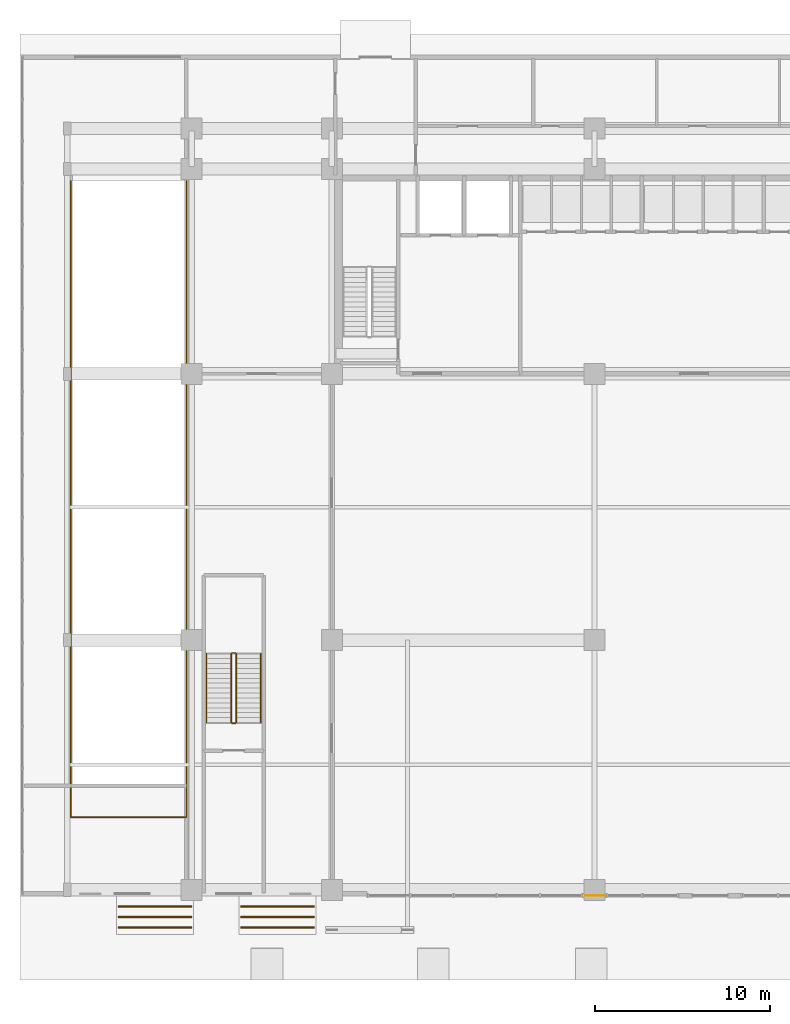
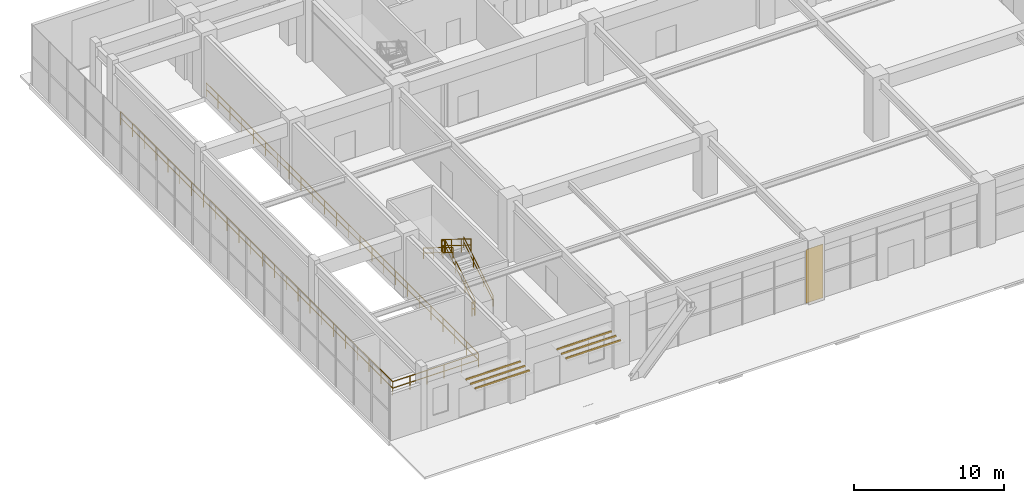
# One storey, part 37 of 40: 9 railings, 6 shading devices, 1 covering.
"""IFC4 building model written with IfcOpenShell, lengths in metres."""

from ifc_helpers import new_model, si_unit, direction, frame, origin, origin_2d, place, context, subcontext, project, spatial, rectangle, extrude, source, transform, mapped, material, layer, layer_set, type_object, element, save


model = new_model("IFC4")

# Units and contexts
model_context = context("Model", 3, precision=1e-05, world=origin(), true_north=direction((0.0, 1.0)))
body_context = subcontext(model_context, "Body", "Model", "MODEL_VIEW")
ifc_project = project(units=[si_unit("LENGTHUNIT", "METRE"), si_unit("AREAUNIT", "SQUARE_METRE"), si_unit("VOLUMEUNIT", "CUBIC_METRE"), si_unit("PLANEANGLEUNIT", "RADIAN"), si_unit("MASSUNIT", "GRAM", prefix="KILO")], contexts=[model_context])

# Site, building, storey
site_placement = place(None, origin())
site = spatial("IfcSite", under=ifc_project, at=site_placement, CompositionType="ELEMENT")
building_placement = place(site_placement, origin())
building = spatial("IfcBuilding", under=site, at=building_placement, Name="Trelvane Seafront Commons", CompositionType="ELEMENT")
storey_placement = place(building_placement, origin())
storey = spatial("IfcBuildingStorey", under=building, at=storey_placement, Name="L00", CompositionType="ELEMENT", Elevation=0.0)

# Railings
ifc_material_1 = material(Name="Stainless steel balustrade", Category="steel")
railing_type_1 = type_object("IfcRailingType", Name="ARCH-RAIL-BAL1150", PredefinedType="BALUSTRADE", material=ifc_material_1)
railing_1_placement = place(storey_placement, frame((0.699951171875, 44.39990234375, 0.0)))
element("IfcRailing", 1, at=railing_1_placement, inside=storey, type_object=railing_type_1, Name="RL-L00-RMP-01", PredefinedType="BALUSTRADE", context=body_context, shape_type="SweptSolid", body=[
    extrude(rectangle(XDim=0.048095703125, YDim=0.048095703125, at=origin_2d()), frame((0.0, 0.0, 1.1259765625), z_axis=(0.0, -1.0, 0.0), x_axis=(1.0, 0.0, 0.0)), (0.0, 0.0, 1.0), 36.2998046875),
    extrude(rectangle(XDim=0.048095703125, YDim=0.048095703125, at=origin_2d()), frame((0.0, 0.0, 0.597900390625), z_axis=(0.0, -1.0, 0.0), x_axis=(1.0, 0.0, 0.0)), (0.0, 0.0, 1.0), 36.2998046875),
    extrude(rectangle(XDim=0.0419921875, YDim=0.0419921875, at=origin_2d()), origin(), (0.0, 0.0, 1.0), 1.1259765625),
    extrude(rectangle(XDim=0.0419921875, YDim=0.0419921875, at=origin_2d()), frame((0.0, -1.578369140625, 0.0)), (0.0, 0.0, 1.0), 1.1259765625),
    extrude(rectangle(XDim=0.0419921875, YDim=0.0419921875, at=origin_2d()), frame((0.0, -3.156494140625, 0.0)), (0.0, 0.0, 1.0), 1.1259765625),
    extrude(rectangle(XDim=0.0419921875, YDim=0.0419921875, at=origin_2d()), frame((0.0, -4.73486328125, 0.0)), (0.0, 0.0, 1.0), 1.1259765625),
    extrude(rectangle(XDim=0.0419921875, YDim=0.0419921875, at=origin_2d()), frame((0.0, -6.31298828125, 0.0)), (0.0, 0.0, 1.0), 1.1259765625),
    extrude(rectangle(XDim=0.0419921875, YDim=0.0419921875, at=origin_2d()), frame((0.0, -7.891357421875, 0.0)), (0.0, 0.0, 1.0), 1.1259765625),
    extrude(rectangle(XDim=0.0419921875, YDim=0.0419921875, at=origin_2d()), frame((0.0, -9.469482421875, 0.0)), (0.0, 0.0, 1.0), 1.1259765625),
    extrude(rectangle(XDim=0.0419921875, YDim=0.0419921875, at=origin_2d()), frame((0.0, -11.0478515625, 0.0)), (0.0, 0.0, 1.0), 1.1259765625),
    extrude(rectangle(XDim=0.0419921875, YDim=0.0419921875, at=origin_2d()), frame((0.0, -12.6259765625, 0.0)), (0.0, 0.0, 1.0), 1.1259765625),
    extrude(rectangle(XDim=0.0419921875, YDim=0.0419921875, at=origin_2d()), frame((0.0, -14.204345703125, 0.0)), (0.0, 0.0, 1.0), 1.1259765625),
    extrude(rectangle(XDim=0.0419921875, YDim=0.0419921875, at=origin_2d()), frame((0.0, -15.782470703125, 0.0)), (0.0, 0.0, 1.0), 1.1259765625),
    extrude(rectangle(XDim=0.0419921875, YDim=0.0419921875, at=origin_2d()), frame((0.0, -17.36083984375, 0.0)), (0.0, 0.0, 1.0), 1.1259765625),
    extrude(rectangle(XDim=0.0419921875, YDim=0.0419921875, at=origin_2d()), frame((0.0, -18.93896484375, 0.0)), (0.0, 0.0, 1.0), 1.1259765625),
    extrude(rectangle(XDim=0.0419921875, YDim=0.0419921875, at=origin_2d()), frame((0.0, -20.517333984375, 0.0)), (0.0, 0.0, 1.0), 1.1259765625),
    extrude(rectangle(XDim=0.0419921875, YDim=0.0419921875, at=origin_2d()), frame((0.0, -22.095458984375, 0.0)), (0.0, 0.0, 1.0), 1.1259765625),
    extrude(rectangle(XDim=0.0419921875, YDim=0.0419921875, at=origin_2d()), frame((0.0, -23.673828125, 0.0)), (0.0, 0.0, 1.0), 1.1259765625),
    extrude(rectangle(XDim=0.0419921875, YDim=0.0419921875, at=origin_2d()), frame((0.0, -25.251953125, 0.0)), (0.0, 0.0, 1.0), 1.1259765625),
    extrude(rectangle(XDim=0.0419921875, YDim=0.0419921875, at=origin_2d()), frame((0.0, -26.830322265625, 0.0)), (0.0, 0.0, 1.0), 1.1259765625),
    extrude(rectangle(XDim=0.0419921875, YDim=0.0419921875, at=origin_2d()), frame((0.0, -28.408447265625, 0.0)), (0.0, 0.0, 1.0), 1.1259765625),
    extrude(rectangle(XDim=0.0419921875, YDim=0.0419921875, at=origin_2d()), frame((0.0, -29.98681640625, 0.0)), (0.0, 0.0, 1.0), 1.1259765625),
    extrude(rectangle(XDim=0.0419921875, YDim=0.0419921875, at=origin_2d()), frame((0.0, -31.56494140625, 0.0)), (0.0, 0.0, 1.0), 1.1259765625),
    extrude(rectangle(XDim=0.0419921875, YDim=0.0419921875, at=origin_2d()), frame((0.0, -33.143310546875, 0.0)), (0.0, 0.0, 1.0), 1.1259765625),
    extrude(rectangle(XDim=0.0419921875, YDim=0.0419921875, at=origin_2d()), frame((0.0, -34.721435546875, 0.0)), (0.0, 0.0, 1.0), 1.1259765625),
    extrude(rectangle(XDim=0.0419921875, YDim=0.0419921875, at=origin_2d()), frame((0.0, -36.2998046875, 0.0)), (0.0, 0.0, 1.0), 1.1259765625),
])
railing_2_placement = place(storey_placement, frame((0.699951171875, 8.10009765625, 0.0)))
element("IfcRailing", 2, at=railing_2_placement, inside=storey, type_object=railing_type_1, Name="RL-L00-RMP-02", PredefinedType="BALUSTRADE", context=body_context, shape_type="SweptSolid", body=[
    extrude(rectangle(XDim=0.048095703125, YDim=0.048095703125, at=origin_2d()), frame((0.0, 0.0, 1.1259765625), z_axis=(1.0, 0.0, 0.0), x_axis=(0.0, 1.0, 0.0)), (0.0, 0.0, 1.0), 6.60009765625),
    extrude(rectangle(XDim=0.048095703125, YDim=0.048095703125, at=origin_2d()), frame((0.0, 0.0, 0.597900390625), z_axis=(1.0, 0.0, 0.0), x_axis=(0.0, 1.0, 0.0)), (0.0, 0.0, 1.0), 6.60009765625),
    extrude(rectangle(XDim=0.0419921875, YDim=0.0419921875, at=origin_2d()), origin(), (0.0, 0.0, 1.0), 1.1259765625),
    extrude(rectangle(XDim=0.0419921875, YDim=0.0419921875, at=origin_2d()), frame((1.320068359375, 0.0, 0.0)), (0.0, 0.0, 1.0), 1.1259765625),
    extrude(rectangle(XDim=0.0419921875, YDim=0.0419921875, at=origin_2d()), frame((2.64013671875, 0.0, 0.0)), (0.0, 0.0, 1.0), 1.1259765625),
    extrude(rectangle(XDim=0.0419921875, YDim=0.0419921875, at=origin_2d()), frame((3.9599609375, 0.0, 0.0)), (0.0, 0.0, 1.0), 1.1259765625),
    extrude(rectangle(XDim=0.0419921875, YDim=0.0419921875, at=origin_2d()), frame((5.280029296875, 0.0, 0.0)), (0.0, 0.0, 1.0), 1.1259765625),
    extrude(rectangle(XDim=0.0419921875, YDim=0.0419921875, at=origin_2d()), frame((6.60009765625, 0.0, 0.0)), (0.0, 0.0, 1.0), 1.1259765625),
])
railing_3_placement = place(storey_placement, frame((7.300048828125, 8.10009765625, 0.0)))
element("IfcRailing", 3, at=railing_3_placement, inside=storey, type_object=railing_type_1, Name="RL-L00-RMP-03", PredefinedType="BALUSTRADE", context=body_context, shape_type="SweptSolid", body=[
    extrude(rectangle(XDim=0.048095703125, YDim=0.048095703125, at=origin_2d()), frame((0.0, 0.0, 1.1259765625), z_axis=(0.0, 1.0, 0.0), x_axis=(-1.0, 0.0, 0.0)), (0.0, 0.0, 1.0), 36.2998046875),
    extrude(rectangle(XDim=0.048095703125, YDim=0.048095703125, at=origin_2d()), frame((0.0, 0.0, 0.597900390625), z_axis=(0.0, 1.0, 0.0), x_axis=(-1.0, 0.0, 0.0)), (0.0, 0.0, 1.0), 36.2998046875),
    extrude(rectangle(XDim=0.0419921875, YDim=0.0419921875, at=origin_2d()), origin(), (0.0, 0.0, 1.0), 1.1259765625),
    extrude(rectangle(XDim=0.0419921875, YDim=0.0419921875, at=origin_2d()), frame((0.0, 1.578369140625, 0.0)), (0.0, 0.0, 1.0), 1.1259765625),
    extrude(rectangle(XDim=0.0419921875, YDim=0.0419921875, at=origin_2d()), frame((0.0, 3.156494140625, 0.0)), (0.0, 0.0, 1.0), 1.1259765625),
    extrude(rectangle(XDim=0.0419921875, YDim=0.0419921875, at=origin_2d()), frame((0.0, 4.73486328125, 0.0)), (0.0, 0.0, 1.0), 1.1259765625),
    extrude(rectangle(XDim=0.0419921875, YDim=0.0419921875, at=origin_2d()), frame((0.0, 6.31298828125, 0.0)), (0.0, 0.0, 1.0), 1.1259765625),
    extrude(rectangle(XDim=0.0419921875, YDim=0.0419921875, at=origin_2d()), frame((0.0, 7.891357421875, 0.0)), (0.0, 0.0, 1.0), 1.1259765625),
    extrude(rectangle(XDim=0.0419921875, YDim=0.0419921875, at=origin_2d()), frame((0.0, 9.469482421875, 0.0)), (0.0, 0.0, 1.0), 1.1259765625),
    extrude(rectangle(XDim=0.0419921875, YDim=0.0419921875, at=origin_2d()), frame((0.0, 11.0478515625, 0.0)), (0.0, 0.0, 1.0), 1.1259765625),
    extrude(rectangle(XDim=0.0419921875, YDim=0.0419921875, at=origin_2d()), frame((0.0, 12.6259765625, 0.0)), (0.0, 0.0, 1.0), 1.1259765625),
    extrude(rectangle(XDim=0.0419921875, YDim=0.0419921875, at=origin_2d()), frame((0.0, 14.204345703125, 0.0)), (0.0, 0.0, 1.0), 1.1259765625),
    extrude(rectangle(XDim=0.0419921875, YDim=0.0419921875, at=origin_2d()), frame((0.0, 15.782470703125, 0.0)), (0.0, 0.0, 1.0), 1.1259765625),
    extrude(rectangle(XDim=0.0419921875, YDim=0.0419921875, at=origin_2d()), frame((0.0, 17.36083984375, 0.0)), (0.0, 0.0, 1.0), 1.1259765625),
    extrude(rectangle(XDim=0.0419921875, YDim=0.0419921875, at=origin_2d()), frame((0.0, 18.93896484375, 0.0)), (0.0, 0.0, 1.0), 1.1259765625),
    extrude(rectangle(XDim=0.0419921875, YDim=0.0419921875, at=origin_2d()), frame((0.0, 20.517333984375, 0.0)), (0.0, 0.0, 1.0), 1.1259765625),
    extrude(rectangle(XDim=0.0419921875, YDim=0.0419921875, at=origin_2d()), frame((0.0, 22.095458984375, 0.0)), (0.0, 0.0, 1.0), 1.1259765625),
    extrude(rectangle(XDim=0.0419921875, YDim=0.0419921875, at=origin_2d()), frame((0.0, 23.673828125, 0.0)), (0.0, 0.0, 1.0), 1.1259765625),
    extrude(rectangle(XDim=0.0419921875, YDim=0.0419921875, at=origin_2d()), frame((0.0, 25.251953125, 0.0)), (0.0, 0.0, 1.0), 1.1259765625),
    extrude(rectangle(XDim=0.0419921875, YDim=0.0419921875, at=origin_2d()), frame((0.0, 26.830322265625, 0.0)), (0.0, 0.0, 1.0), 1.1259765625),
    extrude(rectangle(XDim=0.0419921875, YDim=0.0419921875, at=origin_2d()), frame((0.0, 28.408447265625, 0.0)), (0.0, 0.0, 1.0), 1.1259765625),
    extrude(rectangle(XDim=0.0419921875, YDim=0.0419921875, at=origin_2d()), frame((0.0, 29.98681640625, 0.0)), (0.0, 0.0, 1.0), 1.1259765625),
    extrude(rectangle(XDim=0.0419921875, YDim=0.0419921875, at=origin_2d()), frame((0.0, 31.56494140625, 0.0)), (0.0, 0.0, 1.0), 1.1259765625),
    extrude(rectangle(XDim=0.0419921875, YDim=0.0419921875, at=origin_2d()), frame((0.0, 33.143310546875, 0.0)), (0.0, 0.0, 1.0), 1.1259765625),
    extrude(rectangle(XDim=0.0419921875, YDim=0.0419921875, at=origin_2d()), frame((0.0, 34.721435546875, 0.0)), (0.0, 0.0, 1.0), 1.1259765625),
    extrude(rectangle(XDim=0.0419921875, YDim=0.0419921875, at=origin_2d()), frame((0.0, 36.2998046875, 0.0)), (0.0, 0.0, 1.0), 1.1259765625),
])
railing_type_2 = type_object("IfcRailingType", Name="ARCH-SRL-GUARD", PredefinedType="GUARDRAIL", material=ifc_material_1)
railing_4_placement = place(storey_placement, frame((10.14990234375, 13.5, 0.17333984375)))
element("IfcRailing", 4, at=railing_4_placement, inside=storey, type_object=railing_type_2, Name="L00 ST-3 stair guard 1", PredefinedType="GUARDRAIL", context=body_context, shape_type="SweptSolid", body=[
    extrude(rectangle(XDim=0.048095703125, YDim=0.048095703125, at=origin_2d()), frame((0.0, 0.0, 1.076171875), z_axis=(0.0, 0.850251603719, 0.526376491091), x_axis=(-1.0, 0.0, 0.0)), (0.0, 0.0, 1.0), 4.6103515625),
    extrude(rectangle(XDim=0.048095703125, YDim=0.048095703125, at=origin_2d()), frame((0.0, 0.0, 0.572021484375), z_axis=(0.0, 0.850251603719, 0.526376491091), x_axis=(-1.0, 0.0, 0.0)), (0.0, 0.0, 1.0), 4.6103515625),
    extrude(rectangle(XDim=0.0419921875, YDim=0.0419921875, at=origin_2d()), origin(), (0.0, 0.0, 1.0), 1.076171875),
    extrude(rectangle(XDim=0.0419921875, YDim=0.0419921875, at=origin_2d()), frame((0.0, 1.306640625, 0.808837890625)), (0.0, 0.0, 1.0), 1.076171875),
    extrude(rectangle(XDim=0.0419921875, YDim=0.0419921875, at=origin_2d()), frame((0.0, 2.61328125, 1.617919921875)), (0.0, 0.0, 1.0), 1.076171875),
    extrude(rectangle(XDim=0.0419921875, YDim=0.0419921875, at=origin_2d()), frame((0.0, 3.919921875, 2.4267578125)), (0.0, 0.0, 1.0), 1.076171875),
])
railing_5_placement = place(storey_placement, frame((10.10009765625, 17.469970703125, 2.60009765625)))
element("IfcRailing", 5, at=railing_5_placement, inside=storey, type_object=railing_type_2, Name="L00 ST-3 stair guard 2", PredefinedType="GUARDRAIL", context=body_context, shape_type="SweptSolid", body=[
    extrude(rectangle(XDim=0.048095703125, YDim=0.048095703125, at=origin_2d()), frame((0.0, 0.0, 1.076171875), z_axis=(-1.0, 0.0, 0.0), x_axis=(0.0, -1.0, 0.0)), (0.0, 0.0, 1.0), 0.2001953125),
    extrude(rectangle(XDim=0.048095703125, YDim=0.048095703125, at=origin_2d()), frame((0.0, 0.0, 0.572021484375), z_axis=(-1.0, 0.0, 0.0), x_axis=(0.0, -1.0, 0.0)), (0.0, 0.0, 1.0), 0.2001953125),
    extrude(rectangle(XDim=0.0419921875, YDim=0.0419921875, at=origin_2d()), origin(), (0.0, 0.0, 1.0), 1.076171875),
    extrude(rectangle(XDim=0.0419921875, YDim=0.0419921875, at=origin_2d()), frame((-0.2001953125, 0.0, 0.0)), (0.0, 0.0, 1.0), 1.076171875),
])
railing_6_placement = place(storey_placement, frame((9.85009765625, 17.419921875, 2.7734375)))
element("IfcRailing", 6, at=railing_6_placement, inside=storey, type_object=railing_type_2, Name="L00 ST-3 stair guard 3", PredefinedType="GUARDRAIL", context=body_context, shape_type="SweptSolid", body=[
    extrude(rectangle(XDim=0.048095703125, YDim=0.048095703125, at=origin_2d()), frame((0.0, 0.0, 1.076171875), z_axis=(0.0, -0.850275303828, 0.526338206574), x_axis=(1.0, 0.0, 0.0)), (0.0, 0.0, 1.0), 4.610107421875),
    extrude(rectangle(XDim=0.048095703125, YDim=0.048095703125, at=origin_2d()), frame((0.0, 0.0, 0.572021484375), z_axis=(0.0, -0.850275303828, 0.526338206574), x_axis=(1.0, 0.0, 0.0)), (0.0, 0.0, 1.0), 4.610107421875),
    extrude(rectangle(XDim=0.0419921875, YDim=0.0419921875, at=origin_2d()), origin(), (0.0, 0.0, 1.0), 1.076171875),
    extrude(rectangle(XDim=0.0419921875, YDim=0.0419921875, at=origin_2d()), frame((0.0, -1.306640625, 0.808837890625)), (0.0, 0.0, 1.0), 1.076171875),
    extrude(rectangle(XDim=0.0419921875, YDim=0.0419921875, at=origin_2d()), frame((0.0, -2.61328125, 1.61767578125)), (0.0, 0.0, 1.0), 1.076171875),
    extrude(rectangle(XDim=0.0419921875, YDim=0.0419921875, at=origin_2d()), frame((0.0, -3.919921875, 2.426513671875)), (0.0, 0.0, 1.0), 1.076171875),
])
railing_7_placement = place(storey_placement, frame((10.10009765625, 13.449951171875, 0.0)))
element("IfcRailing", 7, at=railing_7_placement, inside=storey, type_object=railing_type_2, Name="L00 ST-3 stair guard 4", PredefinedType="GUARDRAIL", context=body_context, shape_type="SweptSolid", body=[
    extrude(rectangle(XDim=0.048095703125, YDim=0.048095703125, at=origin_2d()), frame((0.0, 0.0, 1.076171875), z_axis=(-1.0, 0.0, 0.0), x_axis=(0.0, -1.0, 0.0)), (0.0, 0.0, 1.0), 0.2001953125),
    extrude(rectangle(XDim=0.048095703125, YDim=0.048095703125, at=origin_2d()), frame((0.0, 0.0, 0.572021484375), z_axis=(-1.0, 0.0, 0.0), x_axis=(0.0, -1.0, 0.0)), (0.0, 0.0, 1.0), 0.2001953125),
    extrude(rectangle(XDim=0.0419921875, YDim=0.0419921875, at=origin_2d()), origin(), (0.0, 0.0, 1.0), 1.076171875),
    extrude(rectangle(XDim=0.0419921875, YDim=0.0419921875, at=origin_2d()), frame((-0.2001953125, 0.0, 0.0)), (0.0, 0.0, 1.0), 1.076171875),
])
railing_type_3 = type_object("IfcRailingType", Name="ARCH-SRL-HAND", PredefinedType="HANDRAIL", material=ifc_material_1)
railing_8_placement = place(storey_placement, frame((11.550048828125, 13.5, 0.17333984375)))
element("IfcRailing", 8, at=railing_8_placement, inside=storey, type_object=railing_type_3, Name="L00 ST-3 stair handrail 1", PredefinedType="HANDRAIL", context=body_context, shape_type="SweptSolid", body=[
    extrude(rectangle(XDim=0.048095703125, YDim=0.048095703125, at=origin_2d()), frame((0.0, 0.0, 0.8759765625), z_axis=(0.0, 0.850251603719, 0.526376491091), x_axis=(-1.0, 0.0, 0.0)), (0.0, 0.0, 1.0), 4.6103515625),
    extrude(rectangle(XDim=0.048095703125, YDim=0.048095703125, at=origin_2d()), frame((0.0, 0.0, 0.468017578125), z_axis=(0.0, 0.850251603719, 0.526376491091), x_axis=(-1.0, 0.0, 0.0)), (0.0, 0.0, 1.0), 4.6103515625),
    extrude(rectangle(XDim=0.0419921875, YDim=0.0419921875, at=origin_2d()), origin(), (0.0, 0.0, 1.0), 0.8759765625),
    extrude(rectangle(XDim=0.0419921875, YDim=0.0419921875, at=origin_2d()), frame((0.0, 1.306640625, 0.808837890625)), (0.0, 0.0, 1.0), 0.8759765625),
    extrude(rectangle(XDim=0.0419921875, YDim=0.0419921875, at=origin_2d()), frame((0.0, 2.61328125, 1.617919921875)), (0.0, 0.0, 1.0), 0.8759765625),
    extrude(rectangle(XDim=0.0419921875, YDim=0.0419921875, at=origin_2d()), frame((0.0, 3.919921875, 2.4267578125)), (0.0, 0.0, 1.0), 0.8759765625),
])
railing_9_placement = place(storey_placement, frame((8.449951171875, 17.419921875, 2.7734375)))
element("IfcRailing", 9, at=railing_9_placement, inside=storey, type_object=railing_type_3, Name="L00 ST-3 stair handrail 2", PredefinedType="HANDRAIL", context=body_context, shape_type="SweptSolid", body=[
    extrude(rectangle(XDim=0.048095703125, YDim=0.048095703125, at=origin_2d()), frame((0.0, 0.0, 0.8759765625), z_axis=(0.0, -0.850275303828, 0.526338206574), x_axis=(1.0, 0.0, 0.0)), (0.0, 0.0, 1.0), 4.610107421875),
    extrude(rectangle(XDim=0.048095703125, YDim=0.048095703125, at=origin_2d()), frame((0.0, 0.0, 0.468017578125), z_axis=(0.0, -0.850275303828, 0.526338206574), x_axis=(1.0, 0.0, 0.0)), (0.0, 0.0, 1.0), 4.610107421875),
    extrude(rectangle(XDim=0.0419921875, YDim=0.0419921875, at=origin_2d()), origin(), (0.0, 0.0, 1.0), 0.8759765625),
    extrude(rectangle(XDim=0.0419921875, YDim=0.0419921875, at=origin_2d()), frame((0.0, -1.306640625, 0.808837890625)), (0.0, 0.0, 1.0), 0.8759765625),
    extrude(rectangle(XDim=0.0419921875, YDim=0.0419921875, at=origin_2d()), frame((0.0, -2.61328125, 1.61767578125)), (0.0, 0.0, 1.0), 0.8759765625),
    extrude(rectangle(XDim=0.0419921875, YDim=0.0419921875, at=origin_2d()), frame((0.0, -3.919921875, 2.426513671875)), (0.0, 0.0, 1.0), 0.8759765625),
])

# Covering
ifc_material_2 = material(Name="Anodised pale-silver aluminium", Category="aluminium")
ifc_layer_1 = layer(ifc_material_2, 0.034912109375, Name="ARCH-COV-CLAD35")
ifc_layer_set_1 = layer_set([ifc_layer_1], Name="Anodised pale-silver aluminium")
covering_type = type_object("IfcCoveringType", Name="ARCH-COV-CLAD35", PredefinedType="CLADDING", material=ifc_layer_set_1)
shared_shape_1 = source(origin(), body_context, "Body", "SweptSolid", [
    extrude(rectangle(XDim=1.300048828125, YDim=0.0400390625, at=origin_2d()), origin(), (0.0, 0.0, 1.0), 4.360107421875),
])
covering_placement = place(storey_placement, frame((30.60009765625, 3.6201171875, 0.0), z_axis=(0.0, 0.0, 1.0), x_axis=(-1.0, 0.0, 0.0)))
element("IfcCovering", 10, at=covering_placement, inside=storey, type_object=covering_type, Name="CLD-COL-L00-00002", PredefinedType="CLADDING", context=body_context, shape_type="MappedRepresentation", body=[
    mapped(shared_shape_1, transform((0.0, 0.0, 0.0), x_axis=(1.0, 0.0, 0.0), y_axis=(0.0, 1.0, 0.0), z_axis=(0.0, 0.0, 1.0), scale=1.0)),
])

# Shading devices
ifc_layer_2 = layer(ifc_material_2, 0.080078125, Name="ARCH-SHADE-LOUVRE")
ifc_layer_set_2 = layer_set([ifc_layer_2], Name="Anodised pale-silver aluminium")
shading_device_type = type_object("IfcShadingDeviceType", Name="ARCH-SHADE-LOUVRE", PredefinedType="JALOUSIE", material=ifc_layer_set_2)
shared_shape_2 = source(origin(), body_context, "Body", "SweptSolid", [
    extrude(rectangle(XDim=4.199951171875, YDim=0.080078125, at=origin_2d()), origin(), (0.0, 0.0, 1.0), 0.080078125),
])
for number, where, z_axis, x_axis, name in (
    (11, (5.5, 1.800048828125, 3.419921875), (0.0, 0.0, 1.0), (1.0, 0.0, 0.0), "SHD-L00-CAN-1-1"),
    (12, (5.5, 2.39990234375, 3.419921875), (0.0, 0.0, 1.0), (1.0, 0.0, 0.0), "SHD-L00-CAN-1-2"),
    (13, (5.5, 3.0, 3.419921875), (0.0, 0.0, 1.0), (1.0, 0.0, 0.0), "SHD-L00-CAN-1-3"),
    (14, (12.5, 1.800048828125, 3.419921875), (0.0, 0.0, 1.0), (1.0, 0.0, 0.0), "SHD-L00-CAN-2-1"),
    (15, (12.5, 2.39990234375, 3.419921875), (0.0, 0.0, 1.0), (1.0, 0.0, 0.0), "SHD-L00-CAN-2-2"),
    (16, (12.5, 3.0, 3.419921875), (0.0, 0.0, 1.0), (1.0, 0.0, 0.0), "SHD-L00-CAN-2-3"),
):
    element("IfcShadingDevice", number, at=place(storey_placement, frame(where, z_axis=z_axis, x_axis=x_axis)), inside=storey, type_object=shading_device_type, Name=name, PredefinedType="JALOUSIE", context=body_context, shape_type="MappedRepresentation", body=[
        mapped(shared_shape_2, transform((0.0, 0.0, 0.0), x_axis=(1.0, 0.0, 0.0), y_axis=(0.0, 1.0, 0.0), z_axis=(0.0, 0.0, 1.0), scale=1.0)),
    ])

save(model, "model.ifc")
